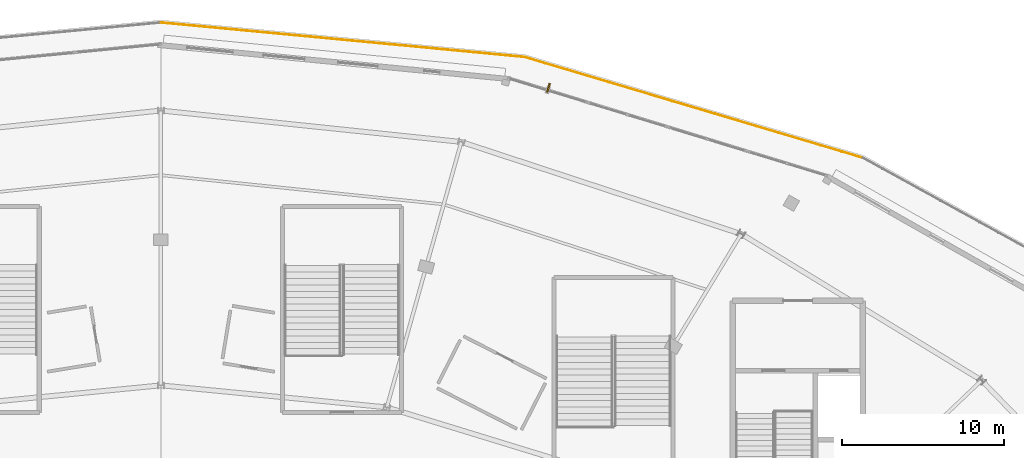
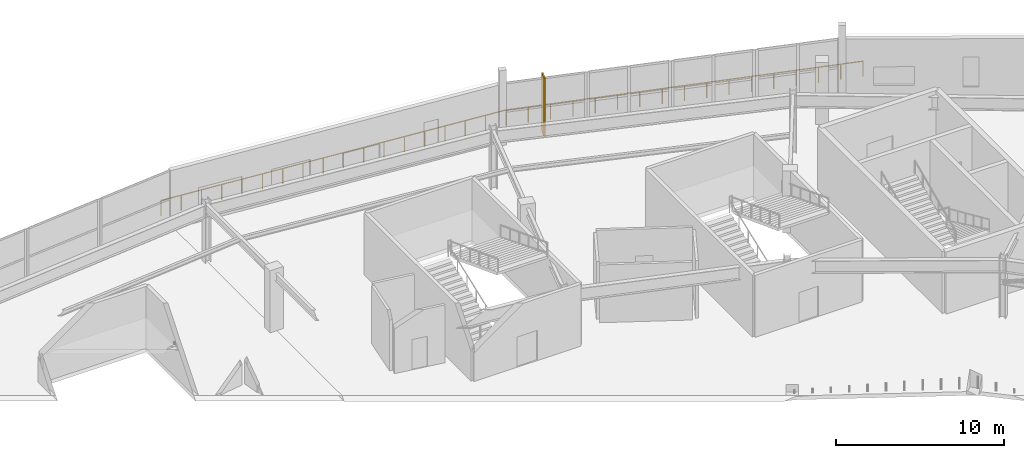
# One storey, part 118 of 123: 2 railings, 1 shading device.
"""IFC4 building model written with IfcOpenShell, lengths in metres."""

from ifc_helpers import new_model, si_unit, direction, frame, origin, origin_2d, place, context, subcontext, project, spatial, rectangle, circle, extrude, material, layer, layer_set, type_object, element, save


model = new_model("IFC4")

# Units and contexts
model_context = context("Model", 3, precision=1e-05, world=origin(), true_north=direction((0.0, 1.0)))
body_context = subcontext(model_context, "Body", "Model", "MODEL_VIEW")
ifc_project = project(units=[si_unit("LENGTHUNIT", "METRE"), si_unit("AREAUNIT", "SQUARE_METRE"), si_unit("VOLUMEUNIT", "CUBIC_METRE"), si_unit("PLANEANGLEUNIT", "RADIAN"), si_unit("MASSUNIT", "GRAM", prefix="KILO")], contexts=[model_context])

# Site, building, storey
site_placement = place(None, origin())
site = spatial("IfcSite", under=ifc_project, at=site_placement, CompositionType="ELEMENT")
building_placement = place(site_placement, origin())
building = spatial("IfcBuilding", under=site, at=building_placement, Name="Kalgoora Escarpment Arena", CompositionType="ELEMENT")
storey_placement = place(building_placement, frame((0.0, 0.0, 9.89990234375)))
storey = spatial("IfcBuildingStorey", under=building, at=storey_placement, Name="L02", CompositionType="ELEMENT", Elevation=9.89990234375)

# Railings
ifc_material_1 = material(Name="Champagne anodised aluminium & laminated glass", Category="aluminium")
railing_type = type_object("IfcRailingType", Name="RAL-TERR-1100", PredefinedType="GUARDRAIL", material=ifc_material_1)
railing_1_placement = place(storey_placement, frame((92.39990234375, 126.439208984375, 0.0)))
element("IfcRailing", 1, at=railing_1_placement, inside=storey, type_object=railing_type, Name="Middle Planted Elliptical Garden Promenade perimeter guardrail 014", PredefinedType="GUARDRAIL", context=body_context, shape_type="SweptSolid", body=[
    extrude(circle(Radius=0.02392578125, at=origin_2d()), frame((0.0, 0.0, 1.09619140625), z_axis=(0.995543292065, -0.094305639408, 0.0), x_axis=(0.094305639408, 0.995543292065, 0.0)), (0.0, 0.0, 1.0), 22.58740234375),
    extrude(circle(Radius=0.02099609375, at=origin_2d()), origin(), (0.0, 0.0, 1.0), 1.072021484375),
    extrude(circle(Radius=0.02099609375, at=origin_2d()), frame((1.32275390625, -0.125244140625, 0.0)), (0.0, 0.0, 1.0), 1.072021484375),
    extrude(circle(Radius=0.02099609375, at=origin_2d()), frame((2.6455078125, -0.25048828125, 0.0)), (0.0, 0.0, 1.0), 1.072021484375),
    extrude(circle(Radius=0.02099609375, at=origin_2d()), frame((3.96826171875, -0.3759765625, 0.0)), (0.0, 0.0, 1.0), 1.072021484375),
    extrude(circle(Radius=0.02099609375, at=origin_2d()), frame((5.291015625, -0.501220703125, 0.0)), (0.0, 0.0, 1.0), 1.072021484375),
    extrude(circle(Radius=0.02099609375, at=origin_2d()), frame((6.61376953125, -0.62646484375, 0.0)), (0.0, 0.0, 1.0), 1.072021484375),
    extrude(circle(Radius=0.02099609375, at=origin_2d()), frame((7.9365234375, -0.751708984375, 0.0)), (0.0, 0.0, 1.0), 1.072021484375),
    extrude(circle(Radius=0.02099609375, at=origin_2d()), frame((9.25927734375, -0.877197265625, 0.0)), (0.0, 0.0, 1.0), 1.072021484375),
    extrude(circle(Radius=0.02099609375, at=origin_2d()), frame((10.58203125, -1.00244140625, 0.0)), (0.0, 0.0, 1.0), 1.072021484375),
    extrude(circle(Radius=0.02099609375, at=origin_2d()), frame((11.90478515625, -1.127685546875, 0.0)), (0.0, 0.0, 1.0), 1.072021484375),
    extrude(circle(Radius=0.02099609375, at=origin_2d()), frame((13.2275390625, -1.2529296875, 0.0)), (0.0, 0.0, 1.0), 1.072021484375),
    extrude(circle(Radius=0.02099609375, at=origin_2d()), frame((14.55029296875, -1.37841796875, 0.0)), (0.0, 0.0, 1.0), 1.072021484375),
    extrude(circle(Radius=0.02099609375, at=origin_2d()), frame((15.873046875, -1.503662109375, 0.0)), (0.0, 0.0, 1.0), 1.072021484375),
    extrude(circle(Radius=0.02099609375, at=origin_2d()), frame((17.19580078125, -1.62890625, 0.0)), (0.0, 0.0, 1.0), 1.072021484375),
    extrude(circle(Radius=0.02099609375, at=origin_2d()), frame((18.5185546875, -1.754150390625, 0.0)), (0.0, 0.0, 1.0), 1.072021484375),
    extrude(circle(Radius=0.02099609375, at=origin_2d()), frame((19.84130859375, -1.879638671875, 0.0)), (0.0, 0.0, 1.0), 1.072021484375),
    extrude(circle(Radius=0.02099609375, at=origin_2d()), frame((21.1640625, -2.0048828125, 0.0)), (0.0, 0.0, 1.0), 1.072021484375),
    extrude(circle(Radius=0.02099609375, at=origin_2d()), frame((22.48681640625, -2.130126953125, 0.0)), (0.0, 0.0, 1.0), 1.072021484375),
])
railing_2_placement = place(storey_placement, frame((114.88671875, 124.30908203125, 0.0)))
element("IfcRailing", 2, at=railing_2_placement, inside=storey, type_object=railing_type, Name="Middle Planted Elliptical Garden Promenade perimeter guardrail 015", PredefinedType="GUARDRAIL", context=body_context, shape_type="SweptSolid", body=[
    extrude(circle(Radius=0.02392578125, at=origin_2d()), frame((0.0, 0.0, 1.09619140625), z_axis=(0.958340491261, -0.285628259823, 0.0), x_axis=(0.285628259823, 0.958340491261, 0.0)), (0.0, 0.0, 1.0), 21.86181640625),
    extrude(circle(Radius=0.02099609375, at=origin_2d()), origin(), (0.0, 0.0, 1.0), 1.072021484375),
    extrude(circle(Radius=0.02099609375, at=origin_2d()), frame((1.3095703125, -0.390380859375, 0.0)), (0.0, 0.0, 1.0), 1.072021484375),
    extrude(circle(Radius=0.02099609375, at=origin_2d()), frame((2.618896484375, -0.780517578125, 0.0)), (0.0, 0.0, 1.0), 1.072021484375),
    extrude(circle(Radius=0.02099609375, at=origin_2d()), frame((3.92822265625, -1.1708984375, 0.0)), (0.0, 0.0, 1.0), 1.072021484375),
    extrude(circle(Radius=0.02099609375, at=origin_2d()), frame((5.23779296875, -1.56103515625, 0.0)), (0.0, 0.0, 1.0), 1.072021484375),
    extrude(circle(Radius=0.02099609375, at=origin_2d()), frame((6.54736328125, -1.951416015625, 0.0)), (0.0, 0.0, 1.0), 1.072021484375),
    extrude(circle(Radius=0.02099609375, at=origin_2d()), frame((7.856689453125, -2.341552734375, 0.0)), (0.0, 0.0, 1.0), 1.072021484375),
    extrude(circle(Radius=0.02099609375, at=origin_2d()), frame((9.166015625, -2.73193359375, 0.0)), (0.0, 0.0, 1.0), 1.072021484375),
    extrude(circle(Radius=0.02099609375, at=origin_2d()), frame((10.4755859375, -3.1220703125, 0.0)), (0.0, 0.0, 1.0), 1.072021484375),
    extrude(circle(Radius=0.02099609375, at=origin_2d()), frame((11.78515625, -3.512451171875, 0.0)), (0.0, 0.0, 1.0), 1.072021484375),
    extrude(circle(Radius=0.02099609375, at=origin_2d()), frame((13.094482421875, -3.90283203125, 0.0)), (0.0, 0.0, 1.0), 1.072021484375),
    extrude(circle(Radius=0.02099609375, at=origin_2d()), frame((14.40380859375, -4.29296875, 0.0)), (0.0, 0.0, 1.0), 1.072021484375),
    extrude(circle(Radius=0.02099609375, at=origin_2d()), frame((15.71337890625, -4.683349609375, 0.0)), (0.0, 0.0, 1.0), 1.072021484375),
    extrude(circle(Radius=0.02099609375, at=origin_2d()), frame((17.02294921875, -5.073486328125, 0.0)), (0.0, 0.0, 1.0), 1.072021484375),
    extrude(circle(Radius=0.02099609375, at=origin_2d()), frame((18.332275390625, -5.4638671875, 0.0)), (0.0, 0.0, 1.0), 1.072021484375),
    extrude(circle(Radius=0.02099609375, at=origin_2d()), frame((19.6416015625, -5.85400390625, 0.0)), (0.0, 0.0, 1.0), 1.072021484375),
    extrude(circle(Radius=0.02099609375, at=origin_2d()), frame((20.951171875, -6.244384765625, 0.0)), (0.0, 0.0, 1.0), 1.072021484375),
])

# Shading device
ifc_material_2 = material(Name="Champagne anodised extruded aluminium", Category="aluminium")
ifc_layer = layer(ifc_material_2, 0.080078125)
ifc_layer_set = layer_set([ifc_layer], Name="SHD-FIN-CHAMP")
shading_device_type = type_object("IfcShadingDeviceType", Name="SHD-FIN-CHAMP", PredefinedType="USERDEFINED", material=ifc_layer_set)
shading_device_placement = place(storey_placement, frame((116.37109375, 122.3994140625, 0.0), z_axis=(0.0, 0.0, 1.0), x_axis=(0.292705500237, 0.956202640726, 0.0)))
element("IfcShadingDevice", 3, at=shading_device_placement, inside=storey, type_object=shading_device_type, Name="L02 champagne anodised solar fin 19", ObjectType="FIN", PredefinedType="USERDEFINED", context=body_context, shape_type="SweptSolid", body=[
    extrude(rectangle(XDim=0.56005859375, YDim=0.10009765625, at=origin_2d()), origin(), (0.0, 0.0, 1.0), 4.264892578125),
])

save(model, "model.ifc")
